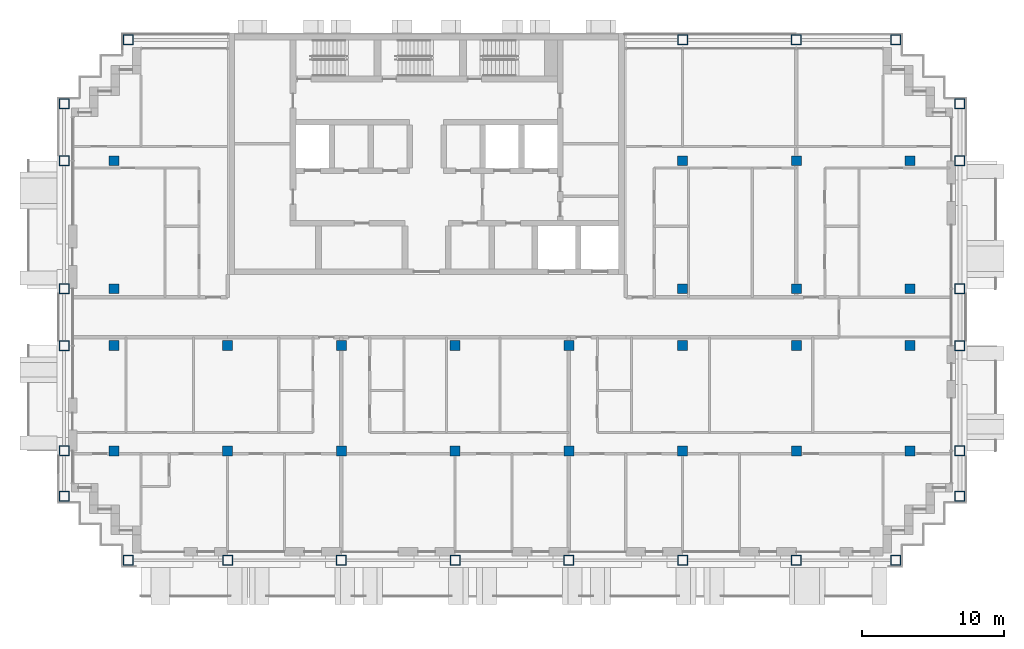
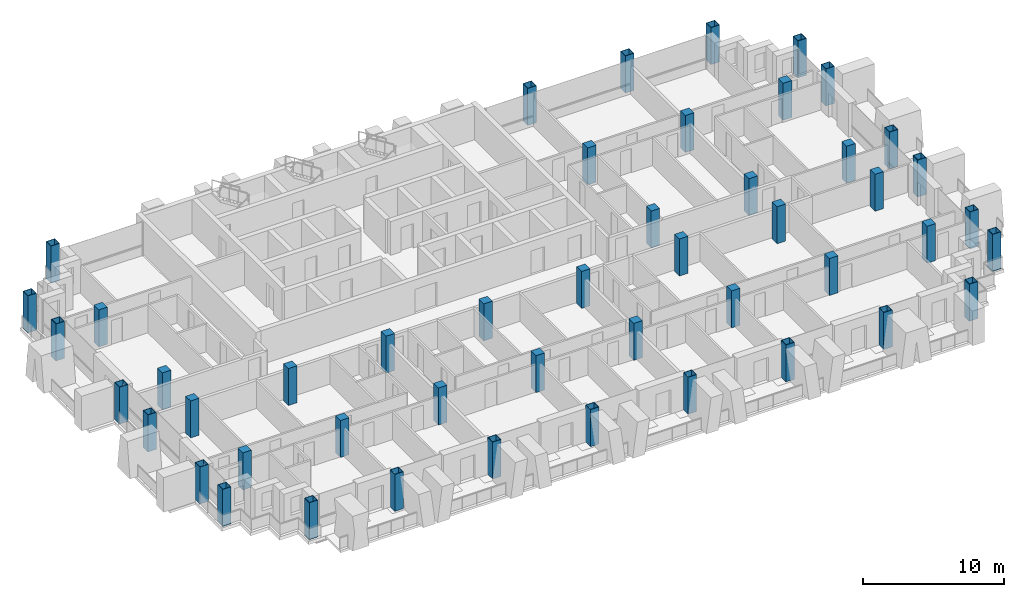
# One storey, part 1 of 16: 48 columns.
"""IFC4 building model written with IfcOpenShell, lengths in metres."""

from ifc_helpers import new_model, si_unit, direction, frame, origin, origin_2d, place, context, subcontext, project, spatial, rectangle, hollow_rectangle, extrude, material, material_profile, profile_set, type_object, element, save


model = new_model("IFC4")

# Units and contexts
model_context = context("Model", 3, precision=1e-05, world=origin(), true_north=direction((0.0, 1.0)))
body_context = subcontext(model_context, "Body", "Model", "MODEL_VIEW")
ifc_project = project(units=[si_unit("LENGTHUNIT", "METRE"), si_unit("AREAUNIT", "SQUARE_METRE"), si_unit("VOLUMEUNIT", "CUBIC_METRE"), si_unit("PLANEANGLEUNIT", "RADIAN"), si_unit("MASSUNIT", "GRAM", prefix="KILO")], contexts=[model_context])

# Site, building, storey
site_placement = place(None, origin())
site = spatial("IfcSite", under=ifc_project, at=site_placement, CompositionType="ELEMENT")
building_placement = place(site_placement, origin())
building = spatial("IfcBuilding", under=site, at=building_placement, Name="Vidyagriha Tower", CompositionType="ELEMENT")
storey_placement = place(building_placement, frame((0.0, 0.0, 171.699951171875)))
storey = spatial("IfcBuildingStorey", under=building, at=storey_placement, Name="L44", CompositionType="ELEMENT", Elevation=171.699951171875)

# Columns
ifc_material_1 = material(Name="Steel ASTM A572 Grade 50", Category="steel")
ifc_material_profile_1 = material_profile(ifc_material_1, hollow_rectangle(XDim=0.699951171875, YDim=0.699951171875, WallThickness=0.035888671875, at=origin_2d()), Name="BOX 700x700x36")
ifc_profile_set_1 = profile_set([ifc_material_profile_1], Name="Steel ASTM A572 Grade 50")
column_type_1 = type_object("IfcColumnType", Name="Exoskeleton column BOX 700x700x36", PredefinedType="COLUMN", material=ifc_profile_set_1)
for number, where, name in (
    (1, (-21.0, -17.10009765625, 0.0), "st-col-L44-B4-001"),
    (2, (-14.0, -17.10009765625, 0.0), "st-col-L44-B4-002"),
    (3, (-6.0, -17.10009765625, 0.0), "st-col-L44-B4-003"),
    (4, (2.0, -17.10009765625, 0.0), "st-col-L44-B4-004"),
    (5, (10.0, -17.10009765625, 0.0), "st-col-L44-B4-005"),
    (6, (18.0, -17.10009765625, 0.0), "st-col-L44-B4-006"),
    (7, (26.0, -17.10009765625, 0.0), "st-col-L44-B4-007"),
    (8, (33.0, -17.10009765625, 0.0), "st-col-L44-B4-008"),
    (9, (-25.5, -12.60009765625, 0.0), "st-col-L44-B4-009"),
    (10, (37.5, -12.60009765625, 0.0), "st-col-L44-B4-010"),
    (11, (-25.5, -9.39990234375, 0.0), "st-col-L44-B4-011"),
    (12, (37.5, -9.39990234375, 0.0), "st-col-L44-B4-020"),
    (13, (-25.5, -2.0, 0.0), "st-col-L44-B4-021"),
    (14, (37.5, -2.0, 0.0), "st-col-L44-B4-030"),
    (15, (-25.5, 2.0, 0.0), "st-col-L44-B4-031"),
    (16, (37.5, 2.0, 0.0), "st-col-L44-B4-036"),
    (17, (-25.5, 11.0, 0.0), "st-col-L44-B4-037"),
    (18, (37.5, 11.0, 0.0), "st-col-L44-B4-042"),
    (19, (-25.5, 15.0, 0.0), "st-col-L44-B4-043"),
    (20, (37.5, 15.0, 0.0), "st-col-L44-B4-044"),
    (21, (-21.0, 19.5, 0.0), "st-col-L44-B4-045"),
    (22, (18.0, 19.5, 0.0), "st-col-L44-B4-046"),
    (23, (26.0, 19.5, 0.0), "st-col-L44-B4-047"),
    (24, (33.0, 19.5, 0.0), "st-col-L44-B4-048"),
):
    element("IfcColumn", number, at=place(storey_placement, frame(where)), inside=storey, type_object=column_type_1, Name=name, PredefinedType="COLUMN", context=body_context, shape_type="SweptSolid", body=[
        extrude(hollow_rectangle(XDim=0.699951171875, YDim=0.699951171875, WallThickness=0.035888671875, at=origin_2d()), origin(), (0.0, 0.0, 1.0), 3.199951171875),
    ])
ifc_material_2 = material(Name="Concrete C60/75", Category="concrete")
ifc_material_profile_2 = material_profile(ifc_material_2, rectangle(XDim=0.699951171875, YDim=0.699951171875, at=origin_2d()), Name="RC 700x700")
ifc_profile_set_2 = profile_set([ifc_material_profile_2], Name="Concrete C60/75")
column_type_2 = type_object("IfcColumnType", Name="Frame column RC 700x700", PredefinedType="COLUMN", material=ifc_profile_set_2)
for number, where, name in (
    (25, (-22.0, -9.39990234375, 0.0), "st-col-L44-B4-012"),
    (26, (-14.0, -9.39990234375, 0.0), "st-col-L44-B4-013"),
    (27, (-6.0, -9.39990234375, 0.0), "st-col-L44-B4-014"),
    (28, (2.0, -9.39990234375, 0.0), "st-col-L44-B4-015"),
    (29, (10.0, -9.39990234375, 0.0), "st-col-L44-B4-016"),
    (30, (18.0, -9.39990234375, 0.0), "st-col-L44-B4-017"),
    (31, (26.0, -9.39990234375, 0.0), "st-col-L44-B4-018"),
    (32, (34.0, -9.39990234375, 0.0), "st-col-L44-B4-019"),
    (33, (-22.0, -2.0, 0.0), "st-col-L44-B4-022"),
    (34, (-14.0, -2.0, 0.0), "st-col-L44-B4-023"),
    (35, (-6.0, -2.0, 0.0), "st-col-L44-B4-024"),
    (36, (2.0, -2.0, 0.0), "st-col-L44-B4-025"),
    (37, (10.0, -2.0, 0.0), "st-col-L44-B4-026"),
    (38, (18.0, -2.0, 0.0), "st-col-L44-B4-027"),
    (39, (26.0, -2.0, 0.0), "st-col-L44-B4-028"),
    (40, (34.0, -2.0, 0.0), "st-col-L44-B4-029"),
    (41, (-22.0, 2.0, 0.0), "st-col-L44-B4-032"),
    (42, (18.0, 2.0, 0.0), "st-col-L44-B4-033"),
    (43, (26.0, 2.0, 0.0), "st-col-L44-B4-034"),
    (44, (34.0, 2.0, 0.0), "st-col-L44-B4-035"),
    (45, (-22.0, 11.0, 0.0), "st-col-L44-B4-038"),
    (46, (18.0, 11.0, 0.0), "st-col-L44-B4-039"),
    (47, (26.0, 11.0, 0.0), "st-col-L44-B4-040"),
    (48, (34.0, 11.0, 0.0), "st-col-L44-B4-041"),
):
    element("IfcColumn", number, at=place(storey_placement, frame(where)), inside=storey, type_object=column_type_2, Name=name, PredefinedType="COLUMN", context=body_context, shape_type="SweptSolid", body=[
        extrude(rectangle(XDim=0.699951171875, YDim=0.699951171875, at=origin_2d()), origin(), (0.0, 0.0, 1.0), 3.199951171875),
    ])

save(model, "model.ifc")
